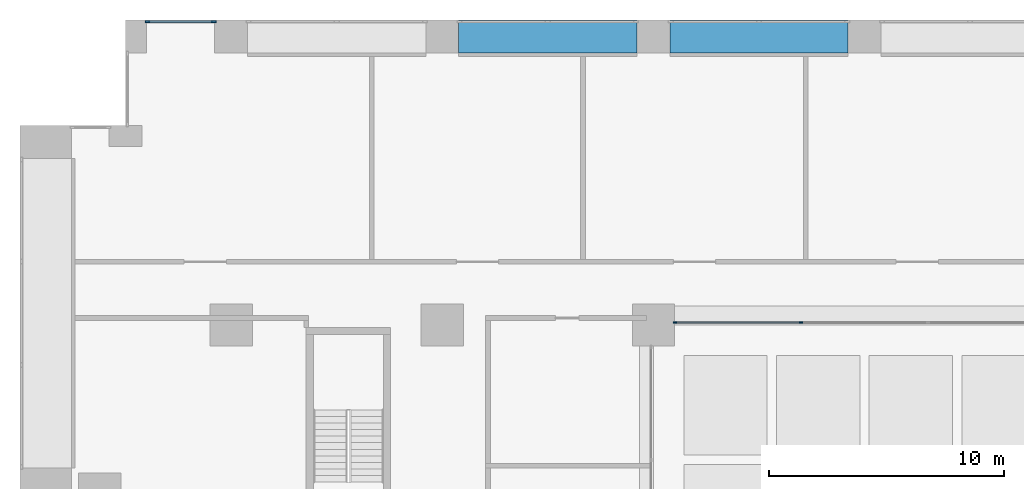
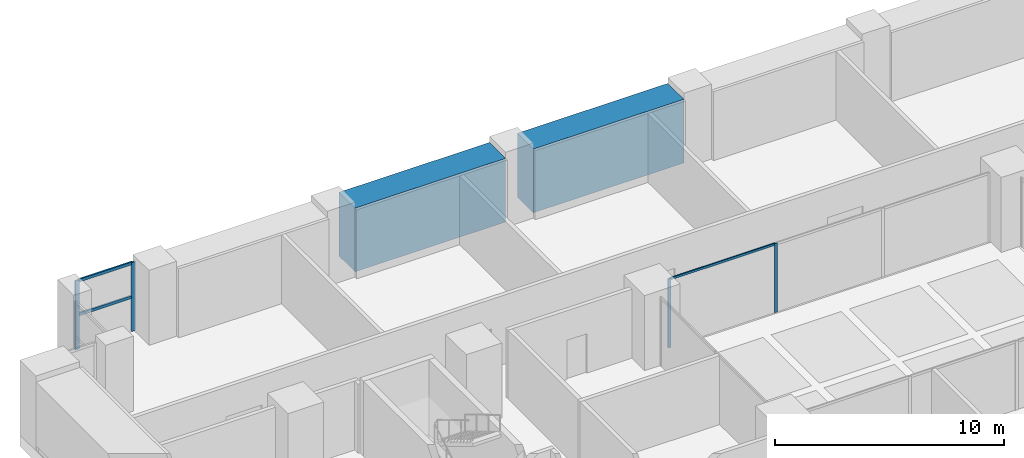
# One storey, part 7 of 24: 7 members, 2 beams, 2 elements without a shape of their own.
"""IFC4 building model written with IfcOpenShell, lengths in metres."""

from ifc_helpers import new_model, si_unit, direction, frame, origin, origin_2d, place, context, subcontext, project, spatial, rectangle, extrude, material, layer, layer_set, material_profile, profile_set, type_object, element, aggregate, save


model = new_model("IFC4")

# Units and contexts
model_context = context("Model", 3, precision=1e-05, world=origin(), true_north=direction((0.0, 1.0)))
body_context = subcontext(model_context, "Body", "Model", "MODEL_VIEW")
ifc_project = project(units=[si_unit("LENGTHUNIT", "METRE"), si_unit("AREAUNIT", "SQUARE_METRE"), si_unit("VOLUMEUNIT", "CUBIC_METRE"), si_unit("PLANEANGLEUNIT", "RADIAN"), si_unit("MASSUNIT", "GRAM", prefix="KILO")], contexts=[model_context])

# Site, building, storey
site_placement = place(None, origin())
site = spatial("IfcSite", under=ifc_project, at=site_placement, CompositionType="ELEMENT")
building_placement = place(site_placement, origin())
building = spatial("IfcBuilding", under=site, at=building_placement, Name="Brigalow Station Residences", CompositionType="ELEMENT")
storey_placement = place(building_placement, frame((0.0, 0.0, 15.5)))
storey = spatial("IfcBuildingStorey", under=building, at=storey_placement, Name="L03", CompositionType="ELEMENT", Elevation=15.5)

# Curtain wall, members
ifc_material_1 = material(Name="Aluminium", Category="aluminium")
ifc_layer_1 = layer(ifc_material_1, 0.14990234375)
ifc_layer_set_1 = layer_set([ifc_layer_1], Name="ATRIUM FIRE-RATED GLAZING CURTAIN WALL")
curtain_wall_type_1 = type_object("IfcCurtainWallType", Name="ATRIUM FIRE-RATED GLAZING CURTAIN WALL", PredefinedType="NOTDEFINED", material=ifc_layer_set_1)
curtain_wall_1_placement = place(storey_placement, origin())
curtain_wall_1 = element("IfcCurtainWall", 1, at=curtain_wall_1_placement, inside=storey, type_object=curtain_wall_type_1, Name="L03/cw/atrium-N", PredefinedType="NOTDEFINED")
ifc_material_2 = material(Name="Aluminium", Category="aluminium")
ifc_material_profile_1 = material_profile(ifc_material_2, rectangle(XDim=0.06005859375, YDim=0.14990234375, at=origin_2d()), Name="ATRIUM FIRE-RATED GLAZING MULLION 60x150")
ifc_profile_set_1 = profile_set([ifc_material_profile_1], Name="Aluminium")
member_type_1 = type_object("IfcMemberType", Name="ATRIUM FIRE-RATED GLAZING MULLION 60x150", PredefinedType="MULLION", material=ifc_profile_set_1)
member_1_placement = place(storey_placement, frame((33.300048828125, 35.60009765625, 0.0), z_axis=(0.0, 0.0, 1.0), x_axis=(0.0, -1.0, 0.0)))
member_1 = element("IfcMember", 2, at=member_1_placement, type_object=member_type_1, Name="L03/cw/atrium-N/M02", PredefinedType="MULLION", context=body_context, shape_type="SweptSolid", body=[
    extrude(rectangle(XDim=0.06005859375, YDim=0.14990234375, at=origin_2d()), origin(), (0.0, 0.0, 1.0), 3.679931640625),
])
member_2_placement = place(storey_placement, frame((27.929931640625, 35.60009765625, 0.0), z_axis=(0.0, 0.0, 1.0), x_axis=(0.0, -1.0, 0.0)))
member_2 = element("IfcMember", 3, at=member_2_placement, type_object=member_type_1, Name="L03/cw/atrium-N/M03", PredefinedType="MULLION", context=body_context, shape_type="SweptSolid", body=[
    extrude(rectangle(XDim=0.06005859375, YDim=0.14990234375, at=origin_2d()), origin(), (0.0, 0.0, 1.0), 3.679931640625),
])
ifc_material_3 = material(Name="Aluminium", Category="aluminium")
ifc_material_profile_2 = material_profile(ifc_material_3, rectangle(XDim=0.06005859375, YDim=0.1201171875, at=origin_2d()), Name="ATRIUM FIRE-RATED GLAZING TRANSOM 60x120")
ifc_profile_set_2 = profile_set([ifc_material_profile_2], Name="Aluminium")
member_type_2 = type_object("IfcMemberType", Name="ATRIUM FIRE-RATED GLAZING TRANSOM 60x120", PredefinedType="USERDEFINED", material=ifc_profile_set_2)
member_3_placement = place(storey_placement, frame((33.27001953125, 35.60009765625, 3.64990234375), z_axis=(-1.0, 0.0, 0.0), x_axis=(0.0, -1.0, 0.0)))
member_3 = element("IfcMember", 4, at=member_3_placement, type_object=member_type_2, Name="L03/cw/atrium-N/T02-00", ObjectType="TRANSOM", PredefinedType="USERDEFINED", context=body_context, shape_type="SweptSolid", body=[
    extrude(rectangle(XDim=0.06005859375, YDim=0.1201171875, at=origin_2d()), origin(), (0.0, 0.0, 1.0), 5.31005859375),
])
aggregate(curtain_wall_1, [member_1, member_2, member_3])

ifc_material_4 = material(Name="Aluminium", Category="aluminium")
ifc_layer_2 = layer(ifc_material_4, 0.199951171875)
ifc_layer_set_2 = layer_set([ifc_layer_2], Name="REFUGE FLOOR LOUVRE CURTAIN WALL")
curtain_wall_type_2 = type_object("IfcCurtainWallType", Name="REFUGE FLOOR LOUVRE CURTAIN WALL", PredefinedType="NOTDEFINED", material=ifc_layer_set_2)
curtain_wall_2_placement = place(storey_placement, origin())
curtain_wall_2 = element("IfcCurtainWall", 5, at=curtain_wall_2_placement, inside=storey, type_object=curtain_wall_type_2, Name="L03/cw/louvre-W-L03-25-7", PredefinedType="NOTDEFINED")
ifc_material_5 = material(Name="Aluminium", Category="aluminium")
ifc_material_profile_3 = material_profile(ifc_material_5, rectangle(XDim=0.080078125, YDim=0.199951171875, at=origin_2d()), Name="REFUGE FLOOR LOUVRE MULLION 80x200")
ifc_profile_set_3 = profile_set([ifc_material_profile_3], Name="Aluminium")
member_type_3 = type_object("IfcMemberType", Name="REFUGE FLOOR LOUVRE MULLION 80x200", PredefinedType="MULLION", material=ifc_profile_set_3)
member_4_placement = place(storey_placement, frame((8.260009765625, 48.425048828125, 0.0), z_axis=(0.0, 0.0, 1.0), x_axis=(0.0, -1.0, 0.0)))
member_4 = element("IfcMember", 6, at=member_4_placement, type_object=member_type_3, Name="L03/cw/louvre-W-L03-25-7/M00", PredefinedType="MULLION", context=body_context, shape_type="SweptSolid", body=[
    extrude(rectangle(XDim=0.080078125, YDim=0.199951171875, at=origin_2d()), origin(), (0.0, 0.0, 1.0), 3.679931640625),
])
member_5_placement = place(storey_placement, frame((5.43994140625, 48.425048828125, 0.0), z_axis=(0.0, 0.0, 1.0), x_axis=(0.0, -1.0, 0.0)))
member_5 = element("IfcMember", 7, at=member_5_placement, type_object=member_type_3, Name="L03/cw/louvre-W-L03-25-7/M01", PredefinedType="MULLION", context=body_context, shape_type="SweptSolid", body=[
    extrude(rectangle(XDim=0.080078125, YDim=0.199951171875, at=origin_2d()), origin(), (0.0, 0.0, 1.0), 3.679931640625),
])
ifc_material_6 = material(Name="Aluminium", Category="aluminium")
ifc_material_profile_4 = material_profile(ifc_material_6, rectangle(XDim=0.080078125, YDim=0.14990234375, at=origin_2d()), Name="REFUGE FLOOR LOUVRE TRANSOM 80x150")
ifc_profile_set_4 = profile_set([ifc_material_profile_4], Name="Aluminium")
member_type_4 = type_object("IfcMemberType", Name="REFUGE FLOOR LOUVRE TRANSOM 80x150", PredefinedType="USERDEFINED", material=ifc_profile_set_4)
member_6_placement = place(storey_placement, frame((8.219970703125, 48.425048828125, 1.840087890625), z_axis=(-1.0, 0.0, 0.0), x_axis=(0.0, -1.0, 0.0)))
member_6 = element("IfcMember", 8, at=member_6_placement, type_object=member_type_4, Name="L03/cw/louvre-W-L03-25-7/T00-00", ObjectType="TRANSOM", PredefinedType="USERDEFINED", context=body_context, shape_type="SweptSolid", body=[
    extrude(rectangle(XDim=0.080078125, YDim=0.14990234375, at=origin_2d()), origin(), (0.0, 0.0, 1.0), 2.739990234375),
])
member_7_placement = place(storey_placement, frame((8.219970703125, 48.425048828125, 3.639892578125), z_axis=(-1.0, 0.0, 0.0), x_axis=(0.0, -1.0, 0.0)))
member_7 = element("IfcMember", 9, at=member_7_placement, type_object=member_type_4, Name="L03/cw/louvre-W-L03-25-7/T00-01", ObjectType="TRANSOM", PredefinedType="USERDEFINED", context=body_context, shape_type="SweptSolid", body=[
    extrude(rectangle(XDim=0.080078125, YDim=0.14990234375, at=origin_2d()), origin(), (0.0, 0.0, 1.0), 2.739990234375),
])
aggregate(curtain_wall_2, [member_4, member_5, member_6, member_7])

# Beams
ifc_material_7 = material(Name="Concrete C80", Category="concrete")
ifc_material_profile_5 = material_profile(ifc_material_7, rectangle(XDim=1.39990234375, YDim=3.39990234375, at=origin_2d()), Name="RC1400x3400")
ifc_profile_set_5 = profile_set([ifc_material_profile_5], Name="Concrete C80")
beam_type = type_object("IfcBeamType", Name="TRANSFER GIRDER 1400x3400 C80", PredefinedType="USERDEFINED", material=ifc_profile_set_5)
for number, where, z_axis, x_axis, name in (
    (10, (35.300048828125, 47.800048828125, 1.97998046875), (-1.0, 0.0, 0.0), (0.0, -1.0, 0.0), "TRANSFER GIRDER N-10 L03"),
    (11, (26.300048828125, 47.800048828125, 1.97998046875), (-1.0, 0.0, 0.0), (0.0, -1.0, 0.0), "TRANSFER GIRDER N-12 L03"),
):
    element("IfcBeam", number, at=place(storey_placement, frame(where, z_axis=z_axis, x_axis=x_axis)), inside=storey, type_object=beam_type, Name=name, ObjectType="TRANSFER GIRDER", PredefinedType="USERDEFINED", context=body_context, shape_type="SweptSolid", body=[
        extrude(rectangle(XDim=1.39990234375, YDim=3.39990234375, at=origin_2d()), origin(), (0.0, 0.0, 1.0), 7.60009765625),
    ])

save(model, "model.ifc")
